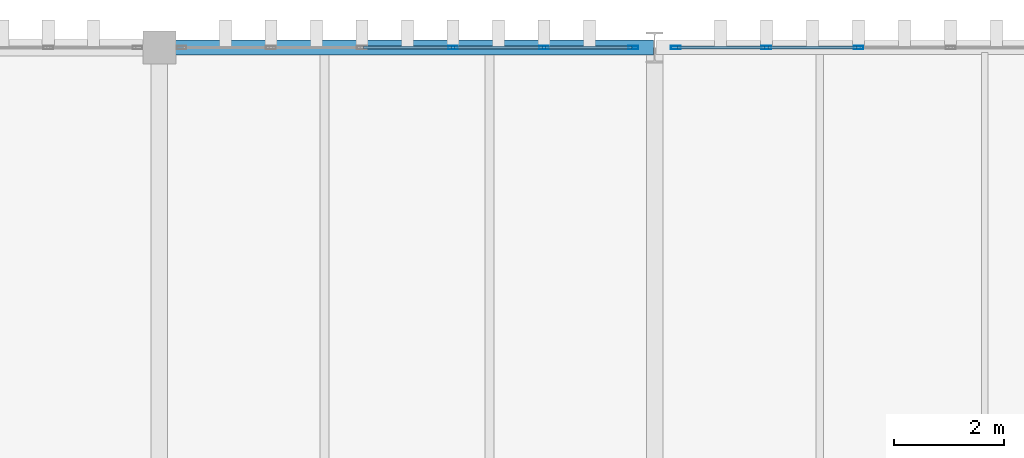
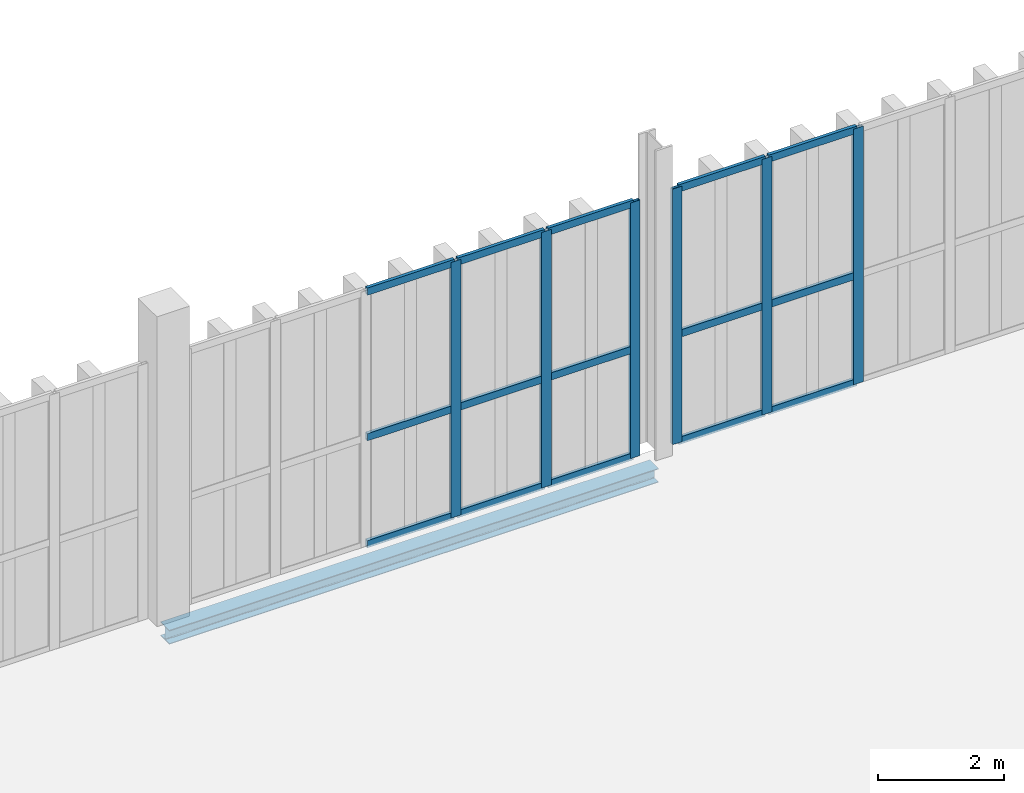
# One storey, part 148 of 211: 21 members, 1 beam, 2 elements without a shape of their own.
"""IFC4 building model written with IfcOpenShell, lengths in metres."""

from ifc_helpers import new_model, si_unit, direction, frame, origin, origin_2d, place, context, subcontext, project, spatial, hollow_rectangle, i_section, extrude, material, layer, layer_set, material_profile, profile_set, type_object, element, aggregate, save


model = new_model("IFC4")

# Units and contexts
model_context = context("Model", 3, precision=1e-05, world=origin(), true_north=direction((0.0, 1.0)))
body_context = subcontext(model_context, "Body", "Model", "MODEL_VIEW")
ifc_project = project(units=[si_unit("LENGTHUNIT", "METRE"), si_unit("AREAUNIT", "SQUARE_METRE"), si_unit("VOLUMEUNIT", "CUBIC_METRE"), si_unit("PLANEANGLEUNIT", "RADIAN"), si_unit("MASSUNIT", "GRAM", prefix="KILO")], contexts=[model_context])

# Site, building, storey
site_placement = place(None, origin())
site = spatial("IfcSite", under=ifc_project, at=site_placement, CompositionType="ELEMENT")
building_placement = place(site_placement, origin())
building = spatial("IfcBuilding", under=site, at=building_placement, Name="Barlavento Convention Centre", CompositionType="ELEMENT")
storey_placement = place(building_placement, frame((0.0, 0.0, 6.0)))
storey = spatial("IfcBuildingStorey", under=building, at=storey_placement, Name="L01", CompositionType="ELEMENT", Elevation=6.0)

# Curtain wall, members
ifc_material_1 = material(Name="Powder-coated aluminium and Low-E glass", Category="aluminium")
ifc_layer = layer(ifc_material_1, 0.179931640625)
ifc_layer_set = layer_set([ifc_layer], Name="ARC-CW-EXH-L01")
curtain_wall_type = type_object("IfcCurtainWallType", Name="ARC-CW-EXH-L01", PredefinedType="NOTDEFINED", material=ifc_layer_set)
curtain_wall_1_placement = place(storey_placement, origin())
curtain_wall_1 = element("IfcCurtainWall", 1, at=curtain_wall_1_placement, inside=storey, type_object=curtain_wall_type, Name="L01 unitised curtain wall CW04", PredefinedType="NOTDEFINED")
ifc_material_2 = material(Name="Powder-coated aluminium", Category="aluminium")
ifc_material_profile_1 = material_profile(ifc_material_2, hollow_rectangle(XDim=0.06005859375, YDim=0.179931640625, WallThickness=0.0048828125, at=origin_2d()), Name="AL-MULL 60x180x5")
ifc_profile_set_1 = profile_set([ifc_material_profile_1], Name="Powder-coated aluminium")
member_type_1 = type_object("IfcMemberType", Name="ARC-CWM-60X180", PredefinedType="MULLION", material=ifc_profile_set_1)
member_1_placement = place(storey_placement, frame((113.33447265625, 135.0, 0.0), z_axis=(0.0, 0.0, 1.0), x_axis=(0.0, 1.0, 0.0)))
member_1 = element("IfcMember", 2, at=member_1_placement, type_object=member_type_1, Name="CW04 mullion 4", PredefinedType="MULLION", context=body_context, shape_type="SweptSolid", body=[
    extrude(hollow_rectangle(XDim=0.06005859375, YDim=0.179931640625, WallThickness=0.0048828125, at=origin_2d()), origin(), (0.0, 0.0, 1.0), 4.949951171875),
])
member_2_placement = place(storey_placement, frame((114.9892578125, 135.0, 0.0), z_axis=(0.0, 0.0, 1.0), x_axis=(0.0, 1.0, 0.0)))
member_2 = element("IfcMember", 3, at=member_2_placement, type_object=member_type_1, Name="CW04 mullion 5", PredefinedType="MULLION", context=body_context, shape_type="SweptSolid", body=[
    extrude(hollow_rectangle(XDim=0.06005859375, YDim=0.179931640625, WallThickness=0.0048828125, at=origin_2d()), origin(), (0.0, 0.0, 1.0), 4.949951171875),
])
member_3_placement = place(storey_placement, frame((116.614013671875, 135.0, 0.0), z_axis=(0.0, 0.0, 1.0), x_axis=(0.0, 1.0, 0.0)))
member_3 = element("IfcMember", 4, at=member_3_placement, type_object=member_type_1, Name="CW04 mullion 6", PredefinedType="MULLION", context=body_context, shape_type="SweptSolid", body=[
    extrude(hollow_rectangle(XDim=0.06005859375, YDim=0.179931640625, WallThickness=0.0048828125, at=origin_2d()), origin(), (0.0, 0.0, 1.0), 4.949951171875),
])

curtain_wall_2_placement = place(storey_placement, origin())
curtain_wall_2 = element("IfcCurtainWall", 5, at=curtain_wall_2_placement, inside=storey, type_object=curtain_wall_type, Name="L01 unitised curtain wall CW04", PredefinedType="NOTDEFINED")
member_4_placement = place(storey_placement, frame((117.385986328125, 135.0, 0.0), z_axis=(0.0, 0.0, 1.0), x_axis=(0.0, 1.0, 0.0)))
member_4 = element("IfcMember", 6, at=member_4_placement, type_object=member_type_1, Name="CW04 mullion 1", PredefinedType="MULLION", context=body_context, shape_type="SweptSolid", body=[
    extrude(hollow_rectangle(XDim=0.06005859375, YDim=0.179931640625, WallThickness=0.0048828125, at=origin_2d()), origin(), (0.0, 0.0, 1.0), 4.949951171875),
])
member_5_placement = place(storey_placement, frame((119.0302734375, 135.0, 0.0), z_axis=(0.0, 0.0, 1.0), x_axis=(0.0, 1.0, 0.0)))
member_5 = element("IfcMember", 7, at=member_5_placement, type_object=member_type_1, Name="CW04 mullion 2", PredefinedType="MULLION", context=body_context, shape_type="SweptSolid", body=[
    extrude(hollow_rectangle(XDim=0.06005859375, YDim=0.179931640625, WallThickness=0.0048828125, at=origin_2d()), origin(), (0.0, 0.0, 1.0), 4.949951171875),
])
member_6_placement = place(storey_placement, frame((120.704345703125, 135.0, 0.0), z_axis=(0.0, 0.0, 1.0), x_axis=(0.0, 1.0, 0.0)))
member_6 = element("IfcMember", 8, at=member_6_placement, type_object=member_type_1, Name="CW04 mullion 3", PredefinedType="MULLION", context=body_context, shape_type="SweptSolid", body=[
    extrude(hollow_rectangle(XDim=0.06005859375, YDim=0.179931640625, WallThickness=0.0048828125, at=origin_2d()), origin(), (0.0, 0.0, 1.0), 4.949951171875),
])

# Member
ifc_material_profile_2 = material_profile(ifc_material_2, hollow_rectangle(XDim=0.06005859375, YDim=0.139892578125, WallThickness=0.00390625, at=origin_2d()), Name="AL-TRAN 60x140x4")
ifc_profile_set_2 = profile_set([ifc_material_profile_2], Name="Powder-coated aluminium")
member_type_2 = type_object("IfcMemberType", Name="ARC-CWT-60X140", PredefinedType="USERDEFINED", material=ifc_profile_set_2)
member_7_placement = place(storey_placement, frame((111.709716796875, 135.0, 0.030029296875), z_axis=(1.0, 0.0, 0.0), x_axis=(0.0, 1.0, 0.0)))
member_7 = element("IfcMember", 9, at=member_7_placement, type_object=member_type_2, Name="CW04 transom 3.1", ObjectType="TRANSOM", PredefinedType="USERDEFINED", context=body_context, shape_type="SweptSolid", body=[
    extrude(hollow_rectangle(XDim=0.06005859375, YDim=0.139892578125, WallThickness=0.00390625, at=origin_2d()), origin(), (0.0, 0.0, 1.0), 1.5947265625),
])

member_8_placement = place(storey_placement, frame((111.709716796875, 135.0, 2.10009765625), z_axis=(1.0, 0.0, 0.0), x_axis=(0.0, 1.0, 0.0)))
member_8 = element("IfcMember", 10, at=member_8_placement, type_object=member_type_2, Name="CW04 transom 3.2", ObjectType="TRANSOM", PredefinedType="USERDEFINED", context=body_context, shape_type="SweptSolid", body=[
    extrude(hollow_rectangle(XDim=0.06005859375, YDim=0.139892578125, WallThickness=0.00390625, at=origin_2d()), origin(), (0.0, 0.0, 1.0), 1.5947265625),
])

member_9_placement = place(storey_placement, frame((111.709716796875, 135.0, 4.919921875), z_axis=(1.0, 0.0, 0.0), x_axis=(0.0, 1.0, 0.0)))
member_9 = element("IfcMember", 11, at=member_9_placement, type_object=member_type_2, Name="CW04 transom 3.3", ObjectType="TRANSOM", PredefinedType="USERDEFINED", context=body_context, shape_type="SweptSolid", body=[
    extrude(hollow_rectangle(XDim=0.06005859375, YDim=0.139892578125, WallThickness=0.00390625, at=origin_2d()), origin(), (0.0, 0.0, 1.0), 1.5947265625),
])

member_10_placement = place(storey_placement, frame((113.364501953125, 135.0, 0.030029296875), z_axis=(1.0, 0.0, 0.0), x_axis=(0.0, 1.0, 0.0)))
member_10 = element("IfcMember", 12, at=member_10_placement, type_object=member_type_2, Name="CW04 transom 4.1", ObjectType="TRANSOM", PredefinedType="USERDEFINED", context=body_context, shape_type="SweptSolid", body=[
    extrude(hollow_rectangle(XDim=0.06005859375, YDim=0.139892578125, WallThickness=0.00390625, at=origin_2d()), origin(), (0.0, 0.0, 1.0), 1.5947265625),
])

member_11_placement = place(storey_placement, frame((113.364501953125, 135.0, 2.10009765625), z_axis=(1.0, 0.0, 0.0), x_axis=(0.0, 1.0, 0.0)))
member_11 = element("IfcMember", 13, at=member_11_placement, type_object=member_type_2, Name="CW04 transom 4.2", ObjectType="TRANSOM", PredefinedType="USERDEFINED", context=body_context, shape_type="SweptSolid", body=[
    extrude(hollow_rectangle(XDim=0.06005859375, YDim=0.139892578125, WallThickness=0.00390625, at=origin_2d()), origin(), (0.0, 0.0, 1.0), 1.5947265625),
])

member_12_placement = place(storey_placement, frame((113.364501953125, 135.0, 4.919921875), z_axis=(1.0, 0.0, 0.0), x_axis=(0.0, 1.0, 0.0)))
member_12 = element("IfcMember", 14, at=member_12_placement, type_object=member_type_2, Name="CW04 transom 4.3", ObjectType="TRANSOM", PredefinedType="USERDEFINED", context=body_context, shape_type="SweptSolid", body=[
    extrude(hollow_rectangle(XDim=0.06005859375, YDim=0.139892578125, WallThickness=0.00390625, at=origin_2d()), origin(), (0.0, 0.0, 1.0), 1.5947265625),
])

member_13_placement = place(storey_placement, frame((115.019287109375, 135.0, 0.030029296875), z_axis=(1.0, 0.0, 0.0), x_axis=(0.0, 1.0, 0.0)))
member_13 = element("IfcMember", 15, at=member_13_placement, type_object=member_type_2, Name="CW04 transom 5.1", ObjectType="TRANSOM", PredefinedType="USERDEFINED", context=body_context, shape_type="SweptSolid", body=[
    extrude(hollow_rectangle(XDim=0.06005859375, YDim=0.139892578125, WallThickness=0.00390625, at=origin_2d()), origin(), (0.0, 0.0, 1.0), 1.564697265625),
])

member_14_placement = place(storey_placement, frame((115.019287109375, 135.0, 2.10009765625), z_axis=(1.0, 0.0, 0.0), x_axis=(0.0, 1.0, 0.0)))
member_14 = element("IfcMember", 16, at=member_14_placement, type_object=member_type_2, Name="CW04 transom 5.2", ObjectType="TRANSOM", PredefinedType="USERDEFINED", context=body_context, shape_type="SweptSolid", body=[
    extrude(hollow_rectangle(XDim=0.06005859375, YDim=0.139892578125, WallThickness=0.00390625, at=origin_2d()), origin(), (0.0, 0.0, 1.0), 1.564697265625),
])

member_15_placement = place(storey_placement, frame((115.019287109375, 135.0, 4.919921875), z_axis=(1.0, 0.0, 0.0), x_axis=(0.0, 1.0, 0.0)))
member_15 = element("IfcMember", 17, at=member_15_placement, type_object=member_type_2, Name="CW04 transom 5.3", ObjectType="TRANSOM", PredefinedType="USERDEFINED", context=body_context, shape_type="SweptSolid", body=[
    extrude(hollow_rectangle(XDim=0.06005859375, YDim=0.139892578125, WallThickness=0.00390625, at=origin_2d()), origin(), (0.0, 0.0, 1.0), 1.564697265625),
])

aggregate(curtain_wall_1, [member_1, member_2, member_3, member_7, member_8, member_9, member_10, member_11, member_12, member_13, member_14, member_15])

member_16_placement = place(storey_placement, frame((117.416015625, 135.0, 0.030029296875), z_axis=(1.0, 0.0, 0.0), x_axis=(0.0, 1.0, 0.0)))
member_16 = element("IfcMember", 18, at=member_16_placement, type_object=member_type_2, Name="CW04 transom 1.1", ObjectType="TRANSOM", PredefinedType="USERDEFINED", context=body_context, shape_type="SweptSolid", body=[
    extrude(hollow_rectangle(XDim=0.06005859375, YDim=0.139892578125, WallThickness=0.00390625, at=origin_2d()), origin(), (0.0, 0.0, 1.0), 1.584228515625),
])

member_17_placement = place(storey_placement, frame((117.416015625, 135.0, 2.10009765625), z_axis=(1.0, 0.0, 0.0), x_axis=(0.0, 1.0, 0.0)))
member_17 = element("IfcMember", 19, at=member_17_placement, type_object=member_type_2, Name="CW04 transom 1.2", ObjectType="TRANSOM", PredefinedType="USERDEFINED", context=body_context, shape_type="SweptSolid", body=[
    extrude(hollow_rectangle(XDim=0.06005859375, YDim=0.139892578125, WallThickness=0.00390625, at=origin_2d()), origin(), (0.0, 0.0, 1.0), 1.584228515625),
])

member_18_placement = place(storey_placement, frame((117.416015625, 135.0, 4.919921875), z_axis=(1.0, 0.0, 0.0), x_axis=(0.0, 1.0, 0.0)))
member_18 = element("IfcMember", 20, at=member_18_placement, type_object=member_type_2, Name="CW04 transom 1.3", ObjectType="TRANSOM", PredefinedType="USERDEFINED", context=body_context, shape_type="SweptSolid", body=[
    extrude(hollow_rectangle(XDim=0.06005859375, YDim=0.139892578125, WallThickness=0.00390625, at=origin_2d()), origin(), (0.0, 0.0, 1.0), 1.584228515625),
])

member_19_placement = place(storey_placement, frame((119.06005859375, 135.0, 0.030029296875), z_axis=(1.0, 0.0, 0.0), x_axis=(0.0, 1.0, 0.0)))
member_19 = element("IfcMember", 21, at=member_19_placement, type_object=member_type_2, Name="CW04 transom 2.1", ObjectType="TRANSOM", PredefinedType="USERDEFINED", context=body_context, shape_type="SweptSolid", body=[
    extrude(hollow_rectangle(XDim=0.06005859375, YDim=0.139892578125, WallThickness=0.00390625, at=origin_2d()), origin(), (0.0, 0.0, 1.0), 1.6142578125),
])

member_20_placement = place(storey_placement, frame((119.06005859375, 135.0, 2.10009765625), z_axis=(1.0, 0.0, 0.0), x_axis=(0.0, 1.0, 0.0)))
member_20 = element("IfcMember", 22, at=member_20_placement, type_object=member_type_2, Name="CW04 transom 2.2", ObjectType="TRANSOM", PredefinedType="USERDEFINED", context=body_context, shape_type="SweptSolid", body=[
    extrude(hollow_rectangle(XDim=0.06005859375, YDim=0.139892578125, WallThickness=0.00390625, at=origin_2d()), origin(), (0.0, 0.0, 1.0), 1.6142578125),
])

member_21_placement = place(storey_placement, frame((119.06005859375, 135.0, 4.919921875), z_axis=(1.0, 0.0, 0.0), x_axis=(0.0, 1.0, 0.0)))
member_21 = element("IfcMember", 23, at=member_21_placement, type_object=member_type_2, Name="CW04 transom 2.3", ObjectType="TRANSOM", PredefinedType="USERDEFINED", context=body_context, shape_type="SweptSolid", body=[
    extrude(hollow_rectangle(XDim=0.06005859375, YDim=0.139892578125, WallThickness=0.00390625, at=origin_2d()), origin(), (0.0, 0.0, 1.0), 1.6142578125),
])

aggregate(curtain_wall_2, [member_4, member_5, member_6, member_16, member_17, member_18, member_19, member_20, member_21])

# Beam
ifc_material_3 = material(Name="Steel S355", Category="steel")
ifc_material_profile_3 = material_profile(ifc_material_3, i_section(OverallWidth=0.280029296875, OverallDepth=0.27001953125, WebThickness=0.008056640625, FlangeThickness=0.012939453125, FilletRadius=0.02392578125, at=origin_2d()), Name="HEA 280")
ifc_profile_set_3 = profile_set([ifc_material_profile_3], Name="Steel S355")
beam_type = type_object("IfcBeamType", Name="STR-BM-SPN-HEA280", PredefinedType="SPANDREL", material=ifc_profile_set_3)
beam_placement = place(storey_placement, frame((108.02001953125, 135.0, -0.4150390625), z_axis=(1.0, 0.0, 0.0), x_axis=(0.0, 1.0, 0.0)))
element("IfcBeam", 24, at=beam_placement, inside=storey, type_object=beam_type, Name="L01 primary girder SP03", PredefinedType="SPANDREL", context=body_context, shape_type="SweptSolid", body=[
    extrude(i_section(OverallWidth=0.280029296875, OverallDepth=0.27001953125, WebThickness=0.008056640625, FlangeThickness=0.012939453125, FilletRadius=0.02392578125, at=origin_2d()), origin(), (0.0, 0.0, 1.0), 8.9599609375),
])

save(model, "model.ifc")
